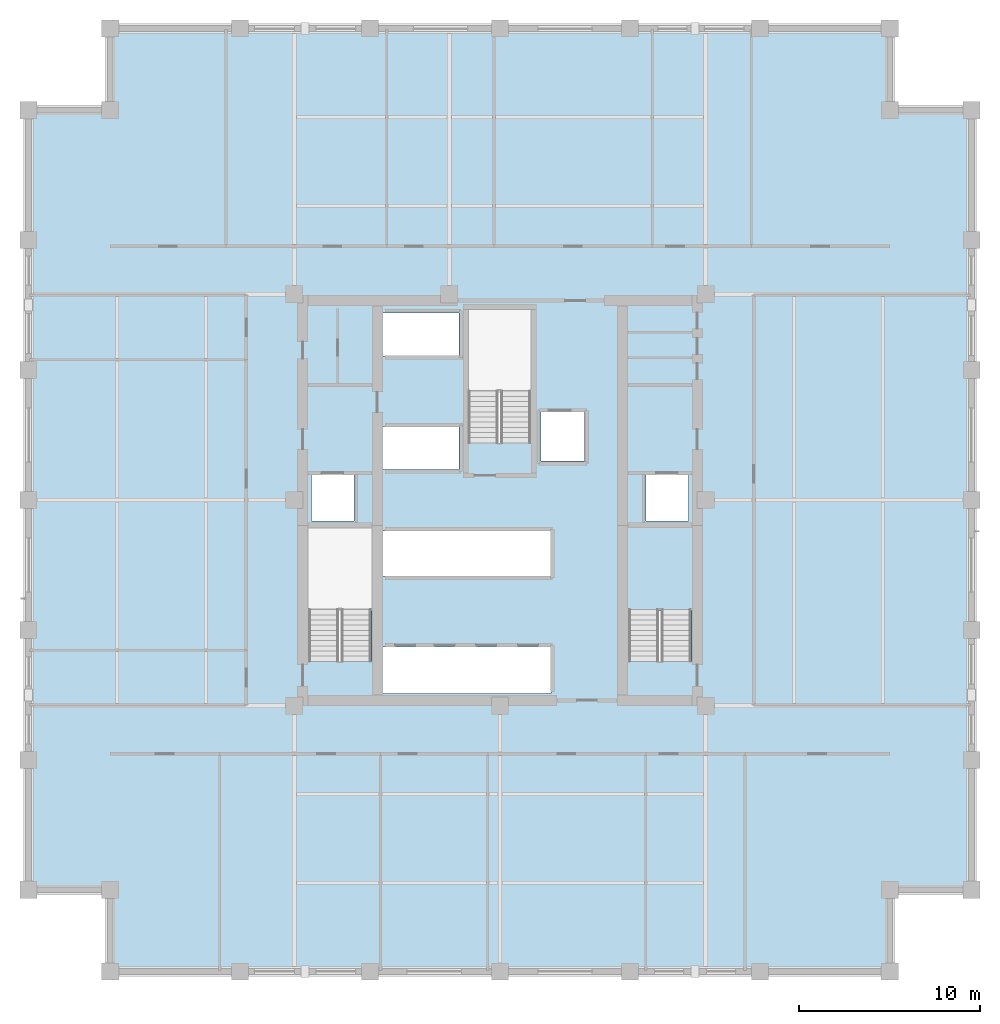
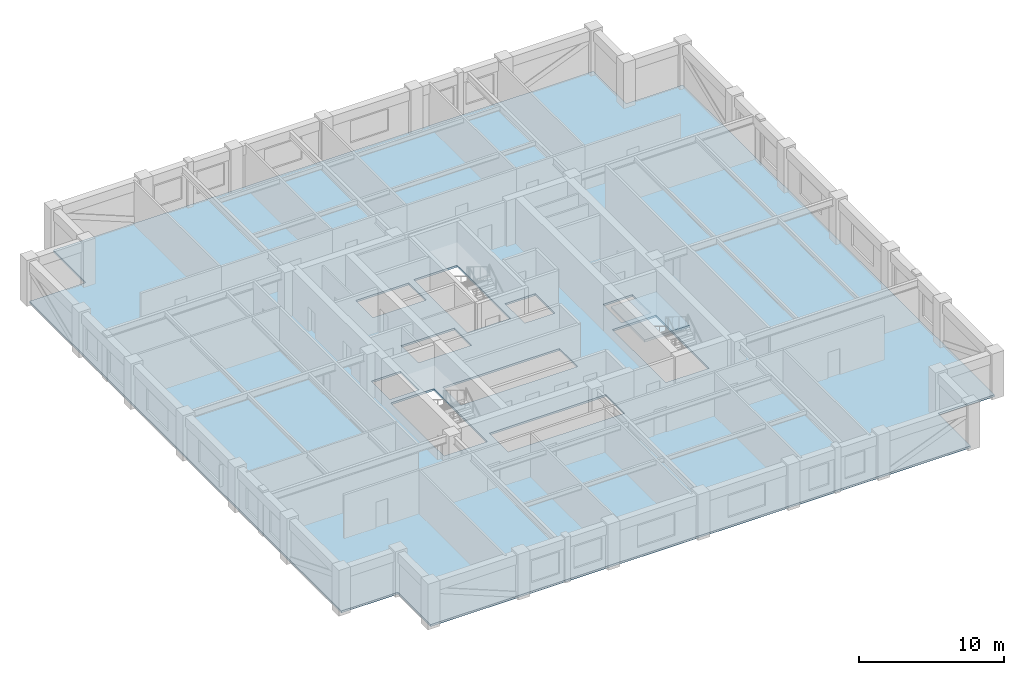
# One storey, part 3 of 9: 2 slabs, 1 element without a shape of its own.
"""IFC4 building model written with IfcOpenShell, lengths in metres."""

from ifc_helpers import new_model, si_unit, direction, frame, origin, place, context, subcontext, project, spatial, polyline, outline, extrude, material, layer, layer_set, type_object, element, aggregate, save


model = new_model("IFC4")

# Units and contexts
model_context = context("Model", 3, precision=1e-05, world=origin(), true_north=direction((0.0, 1.0)))
body_context = subcontext(model_context, "Body", "Model", "MODEL_VIEW")
ifc_project = project(units=[si_unit("LENGTHUNIT", "METRE"), si_unit("AREAUNIT", "SQUARE_METRE"), si_unit("VOLUMEUNIT", "CUBIC_METRE"), si_unit("PLANEANGLEUNIT", "RADIAN"), si_unit("MASSUNIT", "GRAM", prefix="KILO")], contexts=[model_context])

# Site, building, storey
site_placement = place(None, origin())
site = spatial("IfcSite", under=ifc_project, at=site_placement, CompositionType="ELEMENT")
building_placement = place(site_placement, origin())
building = spatial("IfcBuilding", under=site, at=building_placement, Name="Nhamokura Convention Tower", CompositionType="ELEMENT")
storey_placement = place(building_placement, frame((0.0, 0.0, 126.0)))
storey = spatial("IfcBuildingStorey", under=building, at=storey_placement, Name="L30", CompositionType="ELEMENT", Elevation=126.0)

# Slab
ifc_material_1 = material(Name="Concrete C40/50", Category="concrete")
ifc_layer_1 = layer(ifc_material_1, 0.1650390625)
ifc_layer_set_1 = layer_set([ifc_layer_1], Name="OfficeFloorSlab_165")
slab_type_1 = type_object("IfcSlabType", Name="OfficeFloorSlab_165", PredefinedType="FLOOR", material=ifc_layer_set_1)
slab_1_placement = place(storey_placement, frame((0.0, 0.0, -0.1650390625)))
element("IfcSlab", 1, at=slab_1_placement, inside=storey, type_object=slab_type_1, Name="L30 Structural Floor Slab", PredefinedType="FLOOR", context=body_context, shape_type="SweptSolid", body=[
    extrude(outline(polyline([(10.5, 6.0), (53.5, 6.0), (53.5, 10.5), (58.0, 10.5), (58.0, 53.5), (53.5, 53.5), (53.5, 58.0), (10.5, 58.0), (10.5, 53.5), (6.0, 53.5), (6.0, 10.5), (10.5, 10.5), (10.5, 6.0)]), holes=[polyline([(24.89990234375, 23.10009765625), (24.89990234375, 30.449951171875), (21.449951171875, 30.449951171875), (21.449951171875, 23.10009765625), (24.89990234375, 23.10009765625)]), polyline([(42.550048828125, 23.10009765625), (42.550048828125, 30.449951171875), (39.10009765625, 30.449951171875), (39.10009765625, 23.10009765625), (42.550048828125, 23.10009765625)]), polyline([(33.699951171875, 35.14990234375), (33.699951171875, 42.5), (30.25, 42.5), (30.25, 35.14990234375), (33.699951171875, 35.14990234375)]), polyline([(21.60009765625, 30.85009765625), (23.949951171875, 30.85009765625), (23.949951171875, 33.39990234375), (21.60009765625, 33.39990234375), (21.60009765625, 30.85009765625)]), polyline([(40.050048828125, 30.85009765625), (42.39990234375, 30.85009765625), (42.39990234375, 33.39990234375), (40.050048828125, 33.39990234375), (40.050048828125, 30.85009765625)]), polyline([(34.25, 34.14990234375), (36.64990234375, 34.14990234375), (36.64990234375, 36.85009765625), (34.25, 36.85009765625), (34.25, 34.14990234375)]), polyline([(25.52001953125, 21.320068359375), (34.800048828125, 21.320068359375), (34.800048828125, 23.89990234375), (25.52001953125, 23.89990234375), (25.52001953125, 21.320068359375)]), polyline([(25.52001953125, 27.800048828125), (34.800048828125, 27.800048828125), (34.800048828125, 30.300048828125), (25.52001953125, 30.300048828125), (25.52001953125, 27.800048828125)]), polyline([(25.52001953125, 33.679931640625), (29.75, 33.679931640625), (29.75, 36.050048828125), (25.52001953125, 36.050048828125), (25.52001953125, 33.679931640625)]), polyline([(25.52001953125, 39.949951171875), (29.75, 39.949951171875), (29.75, 42.320068359375), (25.52001953125, 42.320068359375), (25.52001953125, 39.949951171875)])]), origin(), (0.0, 0.0, 1.0), 0.1650390625),
])

# Stair, slab
ifc_material_2 = material(Name="Concrete C40/50", Category="concrete")
stair_type = type_object("IfcStairType", Name="TowerCoreStair_1650", PredefinedType="HALF_TURN_STAIR", material=ifc_material_2)
stair_placement = place(storey_placement, origin())
stair = element("IfcStair", 2, at=stair_placement, inside=storey, type_object=stair_type, Name="L30 East Core Smokeproof Stair ST-02", PredefinedType="HALF_TURN_STAIR")
ifc_material_3 = material(Name="Concrete C40/50", Category="concrete")
ifc_layer_2 = layer(ifc_material_3, 0.199951171875)
ifc_layer_set_2 = layer_set([ifc_layer_2], Name="StairLandingSlab_200")
slab_type_2 = type_object("IfcSlabType", Name="StairLandingSlab_200", PredefinedType="LANDING", material=ifc_layer_set_2)
slab_2_placement = place(storey_placement, frame((0.0, 0.0, 1.72509765625)))
slab_2 = element("IfcSlab", 3, at=slab_2_placement, type_object=slab_type_2, Name="ST-02 landing 1", PredefinedType="LANDING", context=body_context, shape_type="SweptSolid", body=[
    extrude(outline(polyline([(42.6298828125, 25.8701171875), (42.6298828125, 30.530029296875), (39.02001953125, 30.530029296875), (39.02001953125, 25.8701171875), (42.6298828125, 25.8701171875)])), origin(), (0.0, 0.0, 1.0), 0.199951171875),
])
aggregate(stair, [slab_2])

save(model, "model.ifc")
